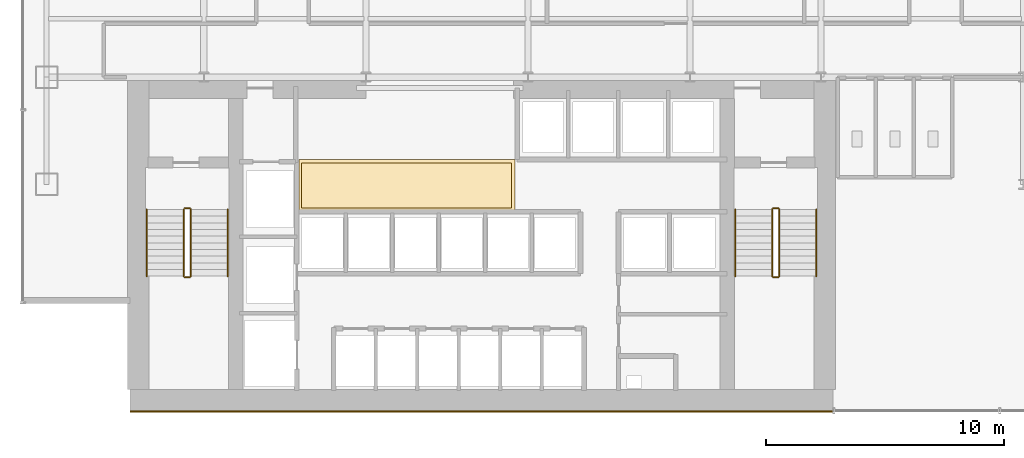
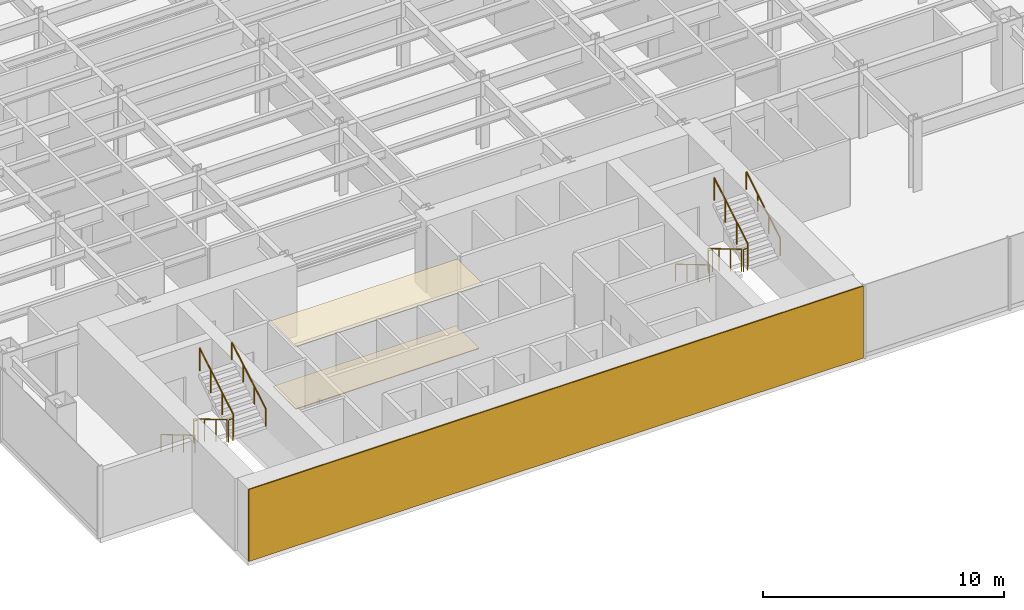
# One storey, part 21 of 23: 12 railings, 3 coverings.
"""IFC4 building model written with IfcOpenShell, lengths in metres."""

import ifcopenshell
import ifcopenshell.guid

model = None  # the IFC model being written
_history = None  # IfcOwnerHistory: only IFC2X3 demands one
_inside = {}  # id of a spatial element -> (the spatial element, [elements in it])
_under = {}  # id of a project, library or spatial element -> (it, [spatial elements below it])
_declared = {}  # id of a project -> (the project, [libraries it declares])
_typed = {}  # id of a type object -> (the type object, [elements of that type])
_made_of = {}  # id of a material, layer set ... -> (it, [elements and type objects made of it])


def new_model(schema):
    """Start an empty IFC model of exactly this schema.

    Asked for "IFC4X3", IfcOpenShell would pick the latest addendum, in which some entities
    have other attributes; the version numbers below select the first issue.
    IFC2X3 requires an IfcOwnerHistory on every rooted entity: one is made here for all.
    """
    global model, _history
    if schema == "IFC4X3":
        model = ifcopenshell.file(schema_version=(4, 3, 0, 0))
    else:
        model = ifcopenshell.file(schema=schema)
    _inside.clear()
    _under.clear()
    _declared.clear()
    _typed.clear()
    _made_of.clear()
    _history = None
    if model.schema == "IFC2X3":
        org = make("IfcOrganization", Name="unknown")
        user = make(
            "IfcPersonAndOrganization",
            ThePerson=make("IfcPerson", FamilyName="unknown"),
            TheOrganization=org,
        )
        app = make(
            "IfcApplication",
            ApplicationDeveloper=org,
            Version="unknown",
            ApplicationFullName="unknown",
            ApplicationIdentifier="unknown",
        )
        _history = make(
            "IfcOwnerHistory",
            OwningUser=user,
            OwningApplication=app,
            ChangeAction="ADDED",
            CreationDate=0,
        )
    return model


def make(cls, **values):
    """One entity of the class cls with the attributes given. An attribute that is None is left unset."""
    return model.create_entity(
        cls, **{name: value for name, value in values.items() if value is not None}
    )


def rooted(cls, **values):
    """An entity with a GlobalId (a new one), such as an element, a storey or a relation."""
    return make(cls, GlobalId=ifcopenshell.guid.new(), OwnerHistory=_history, **values)


def si_unit(unit_type, name, prefix=None):
    """IfcSIUnit, for example si_unit("LENGTHUNIT", "METRE", prefix="MILLI")."""
    return make("IfcSIUnit", UnitType=unit_type, Prefix=prefix, Name=name)


def derived_unit(unit_type, elements):
    """IfcDerivedUnit: a product of units, each with its exponent."""
    return make(
        "IfcDerivedUnit",
        Elements=[
            make("IfcDerivedUnitElement", Unit=unit, Exponent=power)
            for unit, power in elements
        ],
        UnitType=unit_type,
    )


def assignment(units):
    """IfcUnitAssignment: the units of a project."""
    return None if units is None else make("IfcUnitAssignment", Units=units)


def point(xyz):
    """IfcCartesianPoint."""
    return None if xyz is None else make("IfcCartesianPoint", Coordinates=xyz)


def direction(xyz):
    """IfcDirection."""
    return None if xyz is None else make("IfcDirection", DirectionRatios=xyz)


def frame(location, z_axis=None, x_axis=None):
    """IfcAxis2Placement3D, a coordinate frame: its origin and axes. An axis left out is left unset."""
    return make(
        "IfcAxis2Placement3D",
        Location=point(location),
        Axis=direction(z_axis),
        RefDirection=direction(x_axis),
    )


def frame_2d(location, x_axis=None):
    """IfcAxis2Placement2D, a coordinate frame in the plane: its origin and x axis."""
    return make(
        "IfcAxis2Placement2D", Location=point(location), RefDirection=direction(x_axis)
    )


def origin():
    """The frame at (0, 0, 0) with its axes left unset."""
    return frame((0.0, 0.0, 0.0))


def origin_2d():
    """The frame at (0, 0) in the plane with its x axis left unset."""
    return frame_2d((0.0, 0.0))


def place(relative_to, where):
    """IfcLocalPlacement: puts the frame where relative to a parent placement (None: the world)."""
    return make(
        "IfcLocalPlacement", PlacementRelTo=relative_to, RelativePlacement=where
    )


def context(
    kind, dimensions, precision=None, world=None, true_north=None, identifier=None
):
    """IfcGeometricRepresentationContext, for example the 3D "Model" context."""
    return make(
        "IfcGeometricRepresentationContext",
        ContextIdentifier=identifier,
        ContextType=kind,
        CoordinateSpaceDimension=dimensions,
        Precision=precision,
        WorldCoordinateSystem=world,
        TrueNorth=true_north,
    )


def subcontext(parent, identifier, kind, view, scale=None):
    """IfcGeometricRepresentationSubContext, for example "Body" below "Model"."""
    return make(
        "IfcGeometricRepresentationSubContext",
        ContextIdentifier=identifier,
        ContextType=kind,
        ParentContext=parent,
        TargetScale=scale,
        TargetView=view,
    )


def project(units=None, contexts=None):
    """IfcProject with its units and contexts."""
    return rooted(
        "IfcProject",
        Name="project",
        RepresentationContexts=contexts,
        UnitsInContext=assignment(units),
    )


def spatial(cls, under=None, at=None, **own):
    """A site, building, storey or space (cls), placed at a placement, below another one or the project."""
    s = rooted(cls, ObjectPlacement=at, **own)
    if under is not None:
        _under.setdefault(under.id(), (under, []))[1].append(s)
    return s


def polyline(points):
    """IfcPolyline through the points."""
    return make("IfcPolyline", Points=[point(p) for p in points])


def profile(cls, at=None, kind="AREA", **sizes):
    """A parametric profile (cls). Its sizes go by their IFC names, for example OverallWidth=200.0."""
    return make(cls, ProfileType=kind, Position=at, **sizes)


def rectangle(**sizes):
    """IfcRectangleProfileDef."""
    return profile("IfcRectangleProfileDef", **sizes)


def circle(**sizes):
    """IfcCircleProfileDef."""
    return profile("IfcCircleProfileDef", **sizes)


def outline(outer, holes=None, kind="AREA"):
    """IfcArbitraryClosedProfileDef: a profile drawn as a closed curve; with holes, ...WithVoids."""
    if holes is None:
        return make("IfcArbitraryClosedProfileDef", ProfileType=kind, OuterCurve=outer)
    return make(
        "IfcArbitraryProfileDefWithVoids",
        ProfileType=kind,
        OuterCurve=outer,
        InnerCurves=holes,
    )


def extrude(swept, where, along, depth):
    """IfcExtrudedAreaSolid: the profile swept, set in the frame where, extruded along a direction by depth."""
    return make(
        "IfcExtrudedAreaSolid",
        SweptArea=swept,
        Position=where,
        ExtrudedDirection=direction(along),
        Depth=depth,
    )


def shape(context_of_items, identifier, shape_type, items):
    """IfcShapeRepresentation: the items that make up one representation, for example the "Body"."""
    return make(
        "IfcShapeRepresentation",
        ContextOfItems=context_of_items,
        RepresentationIdentifier=identifier,
        RepresentationType=shape_type,
        Items=items,
    )


def source(mapping_origin, context_of_items, identifier, shape_type, items):
    """IfcRepresentationMap: a shape defined once, which mapped items show again and again."""
    return make(
        "IfcRepresentationMap",
        MappingOrigin=mapping_origin,
        MappedRepresentation=shape(context_of_items, identifier, shape_type, items),
    )


def transform(
    local_origin,
    x_axis=None,
    y_axis=None,
    z_axis=None,
    scale=None,
    scale2=None,
    scale3=None,
    uniform=True,
):
    """IfcCartesianTransformationOperator3D, or its non-uniform kind. x_axis, y_axis, z_axis: its Axis1, 2, 3."""
    if uniform:
        return make(
            "IfcCartesianTransformationOperator3D",
            Axis1=direction(x_axis),
            Axis2=direction(y_axis),
            LocalOrigin=point(local_origin),
            Scale=scale,
            Axis3=direction(z_axis),
        )
    return make(
        "IfcCartesianTransformationOperator3DnonUniform",
        Axis1=direction(x_axis),
        Axis2=direction(y_axis),
        LocalOrigin=point(local_origin),
        Scale=scale,
        Axis3=direction(z_axis),
        Scale2=scale2,
        Scale3=scale3,
    )


def mapped(mapping_source, mapping_target):
    """IfcMappedItem: shows the shape of a source again, moved by a transform."""
    return make(
        "IfcMappedItem", MappingSource=mapping_source, MappingTarget=mapping_target
    )


def material(Name=None, Category=None):
    """IfcMaterial."""
    return make("IfcMaterial", Name=Name, Category=Category)


def layer(
    of_material, thickness, ventilated=None, Name=None, Category=None, Priority=None
):
    """IfcMaterialLayer: one layer of a wall or slab, of a material (None: an air gap)."""
    return make(
        "IfcMaterialLayer",
        Material=of_material,
        LayerThickness=thickness,
        IsVentilated=ventilated,
        Name=Name,
        Category=Category,
        Priority=Priority,
    )


def layer_set(layers, Name=None):
    """IfcMaterialLayerSet."""
    return make("IfcMaterialLayerSet", MaterialLayers=layers, LayerSetName=Name)


def made_of(thing, what):
    """Note that an element or type object is made of a material, layer set ...; save() writes the relation."""
    if what is not None:
        _made_of.setdefault(what.id(), (what, []))[1].append(thing)
    return thing


def type_object(cls, material=None, **own):
    """A type object (cls), such as IfcWallType, which elements share."""
    return made_of(rooted(cls, **own), material)


def element(
    cls,
    number,
    at=None,
    inside=None,
    cuts=None,
    type_object=None,
    material=None,
    context=None,
    identifier="Body",
    shape_type=None,
    held_by="IfcProductDefinitionShape",
    body=None,
    shapes=None,
    **own,
):
    """One element of the class cls, such as IfcWall. Its Tag is "e" and its number.

    at: its placement. inside: the storey or other place that contains it. cuts: it is an
    opening in that element (IfcRelVoidsElement). A single representation is given by context,
    identifier, shape_type and body (its items); several are given by shapes. held_by: the class
    of the entity that holds the representations. save() writes the other relations.
    """
    e = rooted(cls, Tag="e%d" % number, ObjectPlacement=at, **own)
    if body is not None:
        shapes = [shape(context, identifier, shape_type, body)]
    if shapes is not None:
        e.Representation = make(held_by, Representations=shapes)
    if inside is not None:
        _inside.setdefault(inside.id(), (inside, []))[1].append(e)
    if cuts is not None:
        rooted(
            "IfcRelVoidsElement", RelatingBuildingElement=cuts, RelatedOpeningElement=e
        )
    if type_object is not None:
        _typed.setdefault(type_object.id(), (type_object, []))[1].append(e)
    return made_of(e, material)


def aggregate(whole, parts):
    """IfcRelAggregates: a whole, such as a stair, and the parts it consists of."""
    return rooted("IfcRelAggregates", RelatingObject=whole, RelatedObjects=parts)


def save(model, path):
    """Write the relations noted so far, then the file.

    IfcRelAggregates (storeys below a building ...), IfcRelContainedInSpatialStructure (elements
    in a storey), IfcRelDefinesByType, IfcRelAssociatesMaterial and IfcRelDeclares: one each for
    every whole, place, type object, material and project.
    """
    for whole, parts in _under.values():
        aggregate(whole, parts)
    for where, things in _inside.values():
        rooted(
            "IfcRelContainedInSpatialStructure",
            RelatedElements=things,
            RelatingStructure=where,
        )
    for kind, things in _typed.values():
        rooted("IfcRelDefinesByType", RelatedObjects=things, RelatingType=kind)
    for what, things in _made_of.values():
        rooted("IfcRelAssociatesMaterial", RelatedObjects=things, RelatingMaterial=what)
    for by, libraries in _declared.values():
        rooted("IfcRelDeclares", RelatingContext=by, RelatedDefinitions=libraries)
    model.write(path)


model = new_model("IFC4")

# Units and contexts
model_context = context("Model", 3, precision=1e-05, world=origin(), true_north=direction((0.0, 1.0)))
body_context = subcontext(model_context, "Body", "Model", "MODEL_VIEW")
ifc_project = project(units=[si_unit("LENGTHUNIT", "METRE"), si_unit("AREAUNIT", "SQUARE_METRE"), si_unit("VOLUMEUNIT", "CUBIC_METRE"), si_unit("PLANEANGLEUNIT", "RADIAN"), si_unit("MASSUNIT", "GRAM", prefix="KILO"), derived_unit("THERMALTRANSMITTANCEUNIT", [(si_unit("POWERUNIT", "WATT"), 1), (si_unit("LENGTHUNIT", "METRE"), -2), (si_unit("THERMODYNAMICTEMPERATUREUNIT", "KELVIN"), -1)])], contexts=[model_context])

# Site, building, storey
site_placement = place(None, origin())
site = spatial("IfcSite", under=ifc_project, at=site_placement, CompositionType="ELEMENT")
building_placement = place(site_placement, origin())
building = spatial("IfcBuilding", under=site, at=building_placement, Name="Skarnbrae Concourse Arena and Tower", CompositionType="ELEMENT")
storey_placement = place(building_placement, frame((0.0, 0.0, 54.39990234375)))
storey = spatial("IfcBuildingStorey", under=building, at=storey_placement, Name="L12", CompositionType="ELEMENT", Elevation=54.39990234375)

# Coverings
ifc_material_1 = material(Name="Mineral fibre acoustic ceiling tile", Category="other")
ifc_layer_1 = layer(ifc_material_1, 0.0400390625)
ifc_layer_set_1 = layer_set([ifc_layer_1], Name="Mineral fibre acoustic ceiling tile")
covering_type_1 = type_object("IfcCoveringType", Name="COV-CEIL-ACOUSTIC", PredefinedType="CEILING", material=ifc_layer_set_1)
covering_1_placement = place(storey_placement, frame((0.0, 0.0, 3.239990234375)))
element("IfcCovering", 1, at=covering_1_placement, inside=storey, type_object=covering_type_1, Name="L12 Lift lobby acoustic ceiling", PredefinedType="CEILING", context=body_context, shape_type="SweptSolid", body=[
    extrude(outline(polyline([(11.60009765625, 8.39990234375), (20.64990234375, 8.39990234375), (20.64990234375, 10.550048828125), (11.60009765625, 10.550048828125), (11.60009765625, 8.39990234375)])), origin(), (0.0, 0.0, 1.0), 0.0400390625),
])
ifc_material_2 = material(Name="Polished granite terrazzo flooring", Category="masonry")
ifc_layer_2 = layer(ifc_material_2, 0.0400390625)
ifc_layer_set_2 = layer_set([ifc_layer_2], Name="Polished granite terrazzo flooring")
covering_type_2 = type_object("IfcCoveringType", Name="COV-FLOOR-TERRAZZO", PredefinedType="FLOORING", material=ifc_layer_set_2)
covering_2_placement = place(storey_placement, origin())
element("IfcCovering", 2, at=covering_2_placement, inside=storey, type_object=covering_type_2, Name="L12 Lift lobby terrazzo flooring", PredefinedType="FLOORING", context=body_context, shape_type="SweptSolid", body=[
    extrude(outline(polyline([(11.699951171875, 8.5), (20.5, 8.5), (20.5, 10.39990234375), (11.699951171875, 10.39990234375), (11.699951171875, 8.5)])), origin(), (0.0, 0.0, 1.0), 0.0400390625),
])

# Railings
ifc_material_3 = material(Name="Steel CSA G40.21 350W", Category="steel")
railing_type_1 = type_object("IfcRailingType", Name="RAIL-HANDRAIL-900", PredefinedType="HANDRAIL", material=ifc_material_3)
railing_1_placement = place(storey_placement, frame((5.199951171875, 8.449951171875, 0.166015625)))
element("IfcRailing", 3, at=railing_1_placement, inside=storey, type_object=railing_type_1, Name="L12 ST-1 stair handrail 1", PredefinedType="HANDRAIL", context=body_context, shape_type="SweptSolid", body=[
    extrude(circle(Radius=0.02392578125, at=origin_2d()), frame((0.0, 0.0, 0.8759765625), z_axis=(0.0, -0.860306154799, 0.50977771628), x_axis=(1.0, 0.0, 0.0)), (0.0, 0.0, 1.0), 3.254638671875),
    extrude(circle(Radius=0.02099609375, at=origin_2d()), origin(), (0.0, 0.0, 1.0), 0.851806640625),
    extrude(circle(Radius=0.02099609375, at=origin_2d()), frame((0.0, -0.933349609375, 0.552978515625)), (0.0, 0.0, 1.0), 0.851806640625),
    extrude(circle(Radius=0.02099609375, at=origin_2d()), frame((0.0, -1.86669921875, 1.106201171875)), (0.0, 0.0, 1.0), 0.851806640625),
    extrude(circle(Radius=0.02099609375, at=origin_2d()), frame((0.0, -2.800048828125, 1.6591796875)), (0.0, 0.0, 1.0), 0.851806640625),
])
railing_2_placement = place(storey_placement, frame((8.60009765625, 5.64990234375, 1.990966796875)))
element("IfcRailing", 4, at=railing_2_placement, inside=storey, type_object=railing_type_1, Name="L12 ST-1 stair handrail 2", PredefinedType="HANDRAIL", context=body_context, shape_type="SweptSolid", body=[
    extrude(circle(Radius=0.02392578125, at=origin_2d()), frame((0.0, 0.0, 0.8759765625), z_axis=(0.0, 0.860306154799, 0.50977771628), x_axis=(-1.0, 0.0, 0.0)), (0.0, 0.0, 1.0), 3.254638671875),
    extrude(circle(Radius=0.02099609375, at=origin_2d()), origin(), (0.0, 0.0, 1.0), 0.851806640625),
    extrude(circle(Radius=0.02099609375, at=origin_2d()), frame((0.0, 0.933349609375, 0.552978515625)), (0.0, 0.0, 1.0), 0.851806640625),
    extrude(circle(Radius=0.02099609375, at=origin_2d()), frame((0.0, 1.86669921875, 1.106201171875)), (0.0, 0.0, 1.0), 0.851806640625),
    extrude(circle(Radius=0.02099609375, at=origin_2d()), frame((0.0, 2.800048828125, 1.6591796875)), (0.0, 0.0, 1.0), 0.851806640625),
])
railing_3_placement = place(storey_placement, frame((29.89990234375, 8.449951171875, 0.166015625)))
element("IfcRailing", 5, at=railing_3_placement, inside=storey, type_object=railing_type_1, Name="L12 ST-2 stair handrail 1", PredefinedType="HANDRAIL", context=body_context, shape_type="SweptSolid", body=[
    extrude(circle(Radius=0.02392578125, at=origin_2d()), frame((0.0, 0.0, 0.8759765625), z_axis=(0.0, -0.860306154799, 0.50977771628), x_axis=(1.0, 0.0, 0.0)), (0.0, 0.0, 1.0), 3.254638671875),
    extrude(circle(Radius=0.02099609375, at=origin_2d()), origin(), (0.0, 0.0, 1.0), 0.851806640625),
    extrude(circle(Radius=0.02099609375, at=origin_2d()), frame((0.0, -0.933349609375, 0.552978515625)), (0.0, 0.0, 1.0), 0.851806640625),
    extrude(circle(Radius=0.02099609375, at=origin_2d()), frame((0.0, -1.86669921875, 1.106201171875)), (0.0, 0.0, 1.0), 0.851806640625),
    extrude(circle(Radius=0.02099609375, at=origin_2d()), frame((0.0, -2.800048828125, 1.6591796875)), (0.0, 0.0, 1.0), 0.851806640625),
])
railing_4_placement = place(storey_placement, frame((33.300048828125, 5.64990234375, 1.990966796875)))
element("IfcRailing", 6, at=railing_4_placement, inside=storey, type_object=railing_type_1, Name="L12 ST-2 stair handrail 2", PredefinedType="HANDRAIL", context=body_context, shape_type="SweptSolid", body=[
    extrude(circle(Radius=0.02392578125, at=origin_2d()), frame((0.0, 0.0, 0.8759765625), z_axis=(0.0, 0.860306154799, 0.50977771628), x_axis=(-1.0, 0.0, 0.0)), (0.0, 0.0, 1.0), 3.254638671875),
    extrude(circle(Radius=0.02099609375, at=origin_2d()), origin(), (0.0, 0.0, 1.0), 0.851806640625),
    extrude(circle(Radius=0.02099609375, at=origin_2d()), frame((0.0, 0.933349609375, 0.552978515625)), (0.0, 0.0, 1.0), 0.851806640625),
    extrude(circle(Radius=0.02099609375, at=origin_2d()), frame((0.0, 1.86669921875, 1.106201171875)), (0.0, 0.0, 1.0), 0.851806640625),
    extrude(circle(Radius=0.02099609375, at=origin_2d()), frame((0.0, 2.800048828125, 1.6591796875)), (0.0, 0.0, 1.0), 0.851806640625),
])
railing_type_2 = type_object("IfcRailingType", Name="RAIL-STAIR-GUARD-1150", PredefinedType="GUARDRAIL", material=ifc_material_3)
railing_5_placement = place(storey_placement, frame((6.75, 8.449951171875, 0.166015625)))
element("IfcRailing", 7, at=railing_5_placement, inside=storey, type_object=railing_type_2, Name="L12 ST-1 stair guard 1", PredefinedType="GUARDRAIL", context=body_context, shape_type="SweptSolid", body=[
    extrude(circle(Radius=0.02392578125, at=origin_2d()), frame((0.0, 0.0, 1.1259765625), z_axis=(0.0, -0.860306154799, 0.50977771628), x_axis=(1.0, 0.0, 0.0)), (0.0, 0.0, 1.0), 3.254638671875),
    extrude(circle(Radius=0.02099609375, at=origin_2d()), origin(), (0.0, 0.0, 1.0), 1.101806640625),
    extrude(circle(Radius=0.02099609375, at=origin_2d()), frame((0.0, -0.933349609375, 0.552978515625)), (0.0, 0.0, 1.0), 1.101806640625),
    extrude(circle(Radius=0.02099609375, at=origin_2d()), frame((0.0, -1.86669921875, 1.106201171875)), (0.0, 0.0, 1.0), 1.101806640625),
    extrude(circle(Radius=0.02099609375, at=origin_2d()), frame((0.0, -2.800048828125, 1.6591796875)), (0.0, 0.0, 1.0), 1.101806640625),
])
railing_6_placement = place(storey_placement, frame((6.800048828125, 5.60009765625, 1.8251953125)))
element("IfcRailing", 8, at=railing_6_placement, inside=storey, type_object=railing_type_2, Name="L12 ST-1 stair guard 2", PredefinedType="GUARDRAIL", context=body_context, shape_type="SweptSolid", body=[
    extrude(circle(Radius=0.02392578125, at=origin_2d()), frame((0.0, 0.0, 1.1259765625), z_axis=(1.0, 0.0, 0.0), x_axis=(0.0, 1.0, 0.0)), (0.0, 0.0, 1.0), 0.199951171875),
    extrude(circle(Radius=0.02099609375, at=origin_2d()), origin(), (0.0, 0.0, 1.0), 1.101806640625),
    extrude(circle(Radius=0.02099609375, at=origin_2d()), frame((0.199951171875, 0.0, 0.0)), (0.0, 0.0, 1.0), 1.101806640625),
])
railing_7_placement = place(storey_placement, frame((7.050048828125, 5.64990234375, 1.990966796875)))
element("IfcRailing", 9, at=railing_7_placement, inside=storey, type_object=railing_type_2, Name="L12 ST-1 stair guard 3", PredefinedType="GUARDRAIL", context=body_context, shape_type="SweptSolid", body=[
    extrude(circle(Radius=0.02392578125, at=origin_2d()), frame((0.0, 0.0, 1.1259765625), z_axis=(0.0, 0.860306154799, 0.50977771628), x_axis=(-1.0, 0.0, 0.0)), (0.0, 0.0, 1.0), 3.254638671875),
    extrude(circle(Radius=0.02099609375, at=origin_2d()), origin(), (0.0, 0.0, 1.0), 1.101806640625),
    extrude(circle(Radius=0.02099609375, at=origin_2d()), frame((0.0, 0.933349609375, 0.552978515625)), (0.0, 0.0, 1.0), 1.101806640625),
    extrude(circle(Radius=0.02099609375, at=origin_2d()), frame((0.0, 1.86669921875, 1.106201171875)), (0.0, 0.0, 1.0), 1.101806640625),
    extrude(circle(Radius=0.02099609375, at=origin_2d()), frame((0.0, 2.800048828125, 1.6591796875)), (0.0, 0.0, 1.0), 1.101806640625),
])
railing_8_placement = place(storey_placement, frame((6.800048828125, 8.5, 0.0)))
element("IfcRailing", 10, at=railing_8_placement, inside=storey, type_object=railing_type_2, Name="L12 ST-1 stair guard 4", PredefinedType="GUARDRAIL", context=body_context, shape_type="SweptSolid", body=[
    extrude(circle(Radius=0.02392578125, at=origin_2d()), frame((0.0, 0.0, 1.1259765625), z_axis=(1.0, 0.0, 0.0), x_axis=(0.0, 1.0, 0.0)), (0.0, 0.0, 1.0), 0.199951171875),
    extrude(circle(Radius=0.02099609375, at=origin_2d()), origin(), (0.0, 0.0, 1.0), 1.101806640625),
    extrude(circle(Radius=0.02099609375, at=origin_2d()), frame((0.199951171875, 0.0, 0.0)), (0.0, 0.0, 1.0), 1.101806640625),
])
railing_9_placement = place(storey_placement, frame((31.449951171875, 8.449951171875, 0.166015625)))
element("IfcRailing", 11, at=railing_9_placement, inside=storey, type_object=railing_type_2, Name="L12 ST-2 stair guard 1", PredefinedType="GUARDRAIL", context=body_context, shape_type="SweptSolid", body=[
    extrude(circle(Radius=0.02392578125, at=origin_2d()), frame((0.0, 0.0, 1.1259765625), z_axis=(0.0, -0.860306154799, 0.50977771628), x_axis=(1.0, 0.0, 0.0)), (0.0, 0.0, 1.0), 3.254638671875),
    extrude(circle(Radius=0.02099609375, at=origin_2d()), origin(), (0.0, 0.0, 1.0), 1.101806640625),
    extrude(circle(Radius=0.02099609375, at=origin_2d()), frame((0.0, -0.933349609375, 0.552978515625)), (0.0, 0.0, 1.0), 1.101806640625),
    extrude(circle(Radius=0.02099609375, at=origin_2d()), frame((0.0, -1.86669921875, 1.106201171875)), (0.0, 0.0, 1.0), 1.101806640625),
    extrude(circle(Radius=0.02099609375, at=origin_2d()), frame((0.0, -2.800048828125, 1.6591796875)), (0.0, 0.0, 1.0), 1.101806640625),
])
railing_10_placement = place(storey_placement, frame((31.5, 5.60009765625, 1.8251953125)))
element("IfcRailing", 12, at=railing_10_placement, inside=storey, type_object=railing_type_2, Name="L12 ST-2 stair guard 2", PredefinedType="GUARDRAIL", context=body_context, shape_type="SweptSolid", body=[
    extrude(circle(Radius=0.02392578125, at=origin_2d()), frame((0.0, 0.0, 1.1259765625), z_axis=(1.0, 0.0, 0.0), x_axis=(0.0, 1.0, 0.0)), (0.0, 0.0, 1.0), 0.199951171875),
    extrude(circle(Radius=0.02099609375, at=origin_2d()), origin(), (0.0, 0.0, 1.0), 1.101806640625),
    extrude(circle(Radius=0.02099609375, at=origin_2d()), frame((0.199951171875, 0.0, 0.0)), (0.0, 0.0, 1.0), 1.101806640625),
])
railing_11_placement = place(storey_placement, frame((31.75, 5.64990234375, 1.990966796875)))
element("IfcRailing", 13, at=railing_11_placement, inside=storey, type_object=railing_type_2, Name="L12 ST-2 stair guard 3", PredefinedType="GUARDRAIL", context=body_context, shape_type="SweptSolid", body=[
    extrude(circle(Radius=0.02392578125, at=origin_2d()), frame((0.0, 0.0, 1.1259765625), z_axis=(0.0, 0.860306154799, 0.50977771628), x_axis=(-1.0, 0.0, 0.0)), (0.0, 0.0, 1.0), 3.254638671875),
    extrude(circle(Radius=0.02099609375, at=origin_2d()), origin(), (0.0, 0.0, 1.0), 1.101806640625),
    extrude(circle(Radius=0.02099609375, at=origin_2d()), frame((0.0, 0.933349609375, 0.552978515625)), (0.0, 0.0, 1.0), 1.101806640625),
    extrude(circle(Radius=0.02099609375, at=origin_2d()), frame((0.0, 1.86669921875, 1.106201171875)), (0.0, 0.0, 1.0), 1.101806640625),
    extrude(circle(Radius=0.02099609375, at=origin_2d()), frame((0.0, 2.800048828125, 1.6591796875)), (0.0, 0.0, 1.0), 1.101806640625),
])
railing_12_placement = place(storey_placement, frame((31.5, 8.5, 0.0)))
element("IfcRailing", 14, at=railing_12_placement, inside=storey, type_object=railing_type_2, Name="L12 ST-2 stair guard 4", PredefinedType="GUARDRAIL", context=body_context, shape_type="SweptSolid", body=[
    extrude(circle(Radius=0.02392578125, at=origin_2d()), frame((0.0, 0.0, 1.1259765625), z_axis=(1.0, 0.0, 0.0), x_axis=(0.0, 1.0, 0.0)), (0.0, 0.0, 1.0), 0.199951171875),
    extrude(circle(Radius=0.02099609375, at=origin_2d()), origin(), (0.0, 0.0, 1.0), 1.101806640625),
    extrude(circle(Radius=0.02099609375, at=origin_2d()), frame((0.199951171875, 0.0, 0.0)), (0.0, 0.0, 1.0), 1.101806640625),
])

# Covering
ifc_material_4 = material(Name="Bronze anodised aluminium 6063-T6", Category="aluminium")
ifc_layer_3 = layer(ifc_material_4, 0.06005859375)
ifc_layer_set_3 = layer_set([ifc_layer_3], Name="Bronze anodised aluminium 6063-T6")
covering_type_3 = type_object("IfcCoveringType", Name="COV-CLAD-BRONZE-60", PredefinedType="CLADDING", material=ifc_layer_set_3)
shared_shape = source(origin(), body_context, "Body", "SweptSolid", [
    extrude(rectangle(XDim=29.5, YDim=0.06005859375, at=origin_2d()), origin(), (0.0, 0.0, 1.0), 3.64990234375),
])
covering_3_placement = place(storey_placement, frame((19.25, -0.030029296875, 0.000244140625), z_axis=(0.0, 0.0, 1.0), x_axis=(1.0, 0.0, 0.0)))
element("IfcCovering", 15, at=covering_3_placement, inside=storey, type_object=covering_type_3, Name="L12 Rear-core plumb spine bronze rainscreen panel", PredefinedType="CLADDING", context=body_context, shape_type="MappedRepresentation", body=[
    mapped(shared_shape, transform((0.0, 0.0, 0.0))),
])

save(model, "model.ifc")
